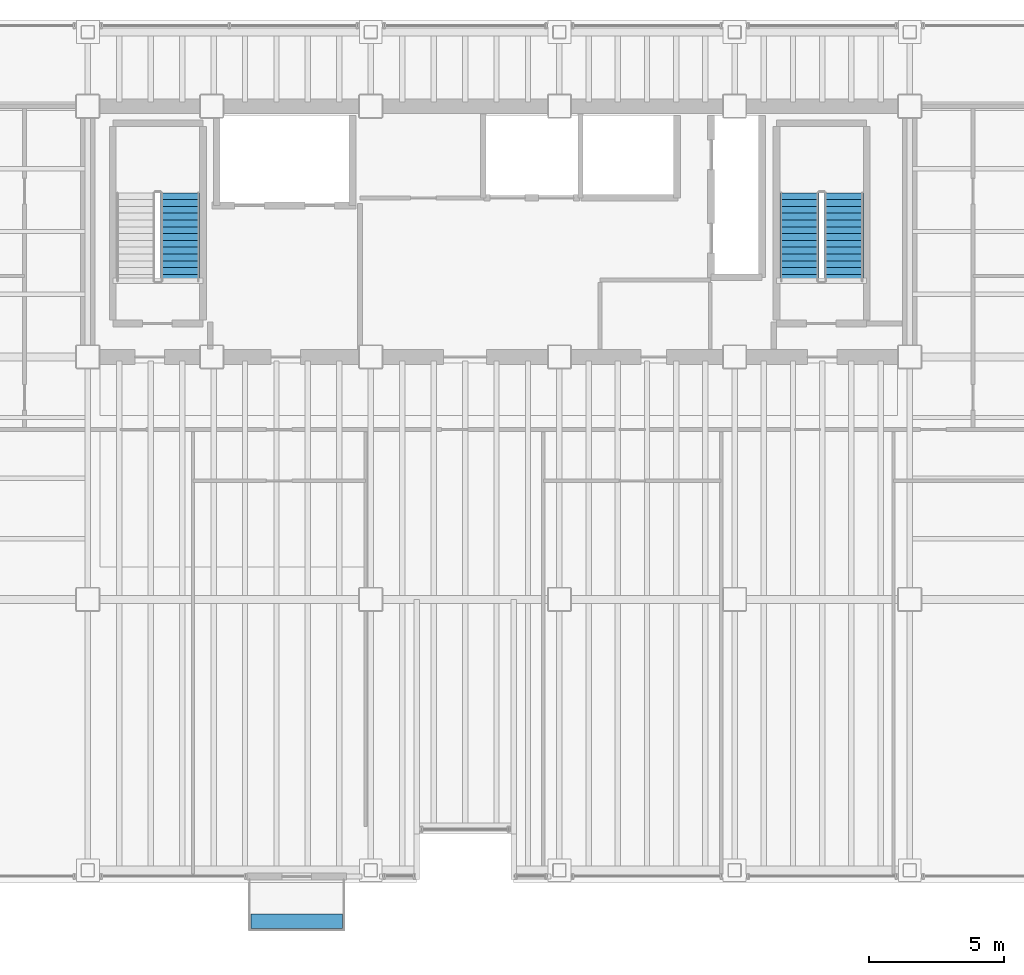
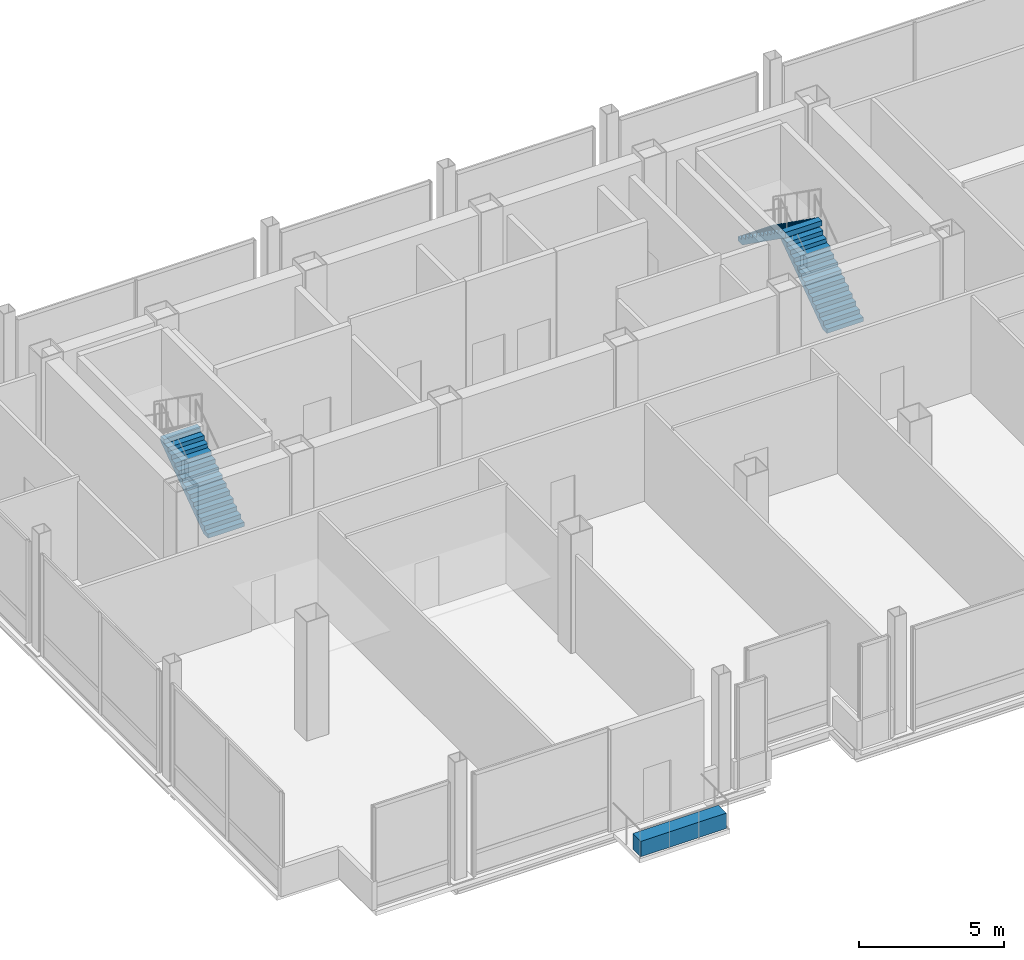
# One storey, part 20 of 22: 3 stair flights, 1 discrete accessory, 2 elements without a shape of their own.
"""IFC4 building model written with IfcOpenShell, lengths in metres."""

from ifc_helpers import new_model, si_unit, direction, frame, origin, origin_2d, place, context, subcontext, project, spatial, polyline, rectangle, outline, extrude, material, layer, layer_set, type_object, element, aggregate, save


model = new_model("IFC4")

# Units and contexts
model_context = context("Model", 3, precision=1e-05, world=origin(), true_north=direction((0.0, 1.0)))
body_context = subcontext(model_context, "Body", "Model", "MODEL_VIEW")
ifc_project = project(units=[si_unit("LENGTHUNIT", "METRE"), si_unit("AREAUNIT", "SQUARE_METRE"), si_unit("VOLUMEUNIT", "CUBIC_METRE"), si_unit("PLANEANGLEUNIT", "RADIAN"), si_unit("MASSUNIT", "GRAM", prefix="KILO")], contexts=[model_context])

# Site, building, storey
site_placement = place(None, origin())
site = spatial("IfcSite", under=ifc_project, at=site_placement, CompositionType="ELEMENT")
building_placement = place(site_placement, origin())
building = spatial("IfcBuilding", under=site, at=building_placement, Name="Noeulbin Bourse Tower", CompositionType="ELEMENT")
storey_placement = place(building_placement, frame((0.0, 0.0, 106.0)))
storey = spatial("IfcBuildingStorey", under=building, at=storey_placement, Name="L26", CompositionType="ELEMENT", Elevation=106.0)

# Stair, stair flight
ifc_material_1 = material(Name="Concrete C40/50", Category="concrete")
stair_type = type_object("IfcStairType", Name="STR-CORE-1560", PredefinedType="HALF_TURN_STAIR", material=ifc_material_1)
stair_1_placement = place(storey_placement, origin())
stair_1 = element("IfcStair", 1, at=stair_1_placement, inside=storey, type_object=stair_type, Name="L26 ST-1", PredefinedType="HALF_TURN_STAIR")
stair_flight_type = type_object("IfcStairFlightType", Name="SFL-CORE-1560", PredefinedType="STRAIGHT", material=ifc_material_1)
stair_flight_1_placement = place(storey_placement, frame((16.925048828125, 31.81005859375, 0.0), z_axis=(0.0, 0.0, 1.0), x_axis=(0.0, 1.0, 0.0)))
stair_flight_1 = element("IfcStairFlight", 2, at=stair_flight_1_placement, type_object=stair_flight_type, Name="ST-1 flight 1", NumberOfRisers=14, NumberOfTreads=13, PredefinedType="STRAIGHT", RiserHeight=0.178571429, TreadLength=0.252, context=body_context, shape_type="SweptSolid", body=[
    extrude(outline(polyline([(0.0, 0.0), (0.0, 0.178466796875), (0.251953125, 0.178466796875), (0.251953125, 0.357177734375), (0.50390625, 0.357177734375), (0.50390625, 0.53564453125), (0.756103515625, 0.53564453125), (0.756103515625, 0.71435546875), (1.008056640625, 0.71435546875), (1.008056640625, 0.892822265625), (1.260009765625, 0.892822265625), (1.260009765625, 1.071533203125), (1.511962890625, 1.071533203125), (1.511962890625, 1.25), (1.763916015625, 1.25), (1.763916015625, 1.428466796875), (2.01611328125, 1.428466796875), (2.01611328125, 1.607177734375), (2.26806640625, 1.607177734375), (2.26806640625, 1.78564453125), (2.52001953125, 1.78564453125), (2.52001953125, 1.96435546875), (2.77197265625, 1.96435546875), (2.77197265625, 2.142822265625), (3.02392578125, 2.142822265625), (3.02392578125, 2.321533203125), (3.27587890625, 2.321533203125), (3.27587890625, 2.5), (3.27587890625, 2.100830078125), (0.311279296875, 0.0), (0.0, 0.0)])), frame((0.0, 0.72509765625, 0.0), z_axis=(0.0, -1.0, 0.0), x_axis=(1.0, 0.0, 0.0)), (0.0, 0.0, 1.0), 1.449951171875),
])
aggregate(stair_1, [stair_flight_1])

# Stair, stair flights
stair_2_placement = place(storey_placement, origin())
stair_2 = element("IfcStair", 3, at=stair_2_placement, inside=storey, type_object=stair_type, Name="L26 ST-2", PredefinedType="HALF_TURN_STAIR")
stair_flight_2_placement = place(storey_placement, frame((41.554931640625, 31.81005859375, 0.0), z_axis=(0.0, 0.0, 1.0), x_axis=(0.0, 1.0, 0.0)))
stair_flight_2 = element("IfcStairFlight", 4, at=stair_flight_2_placement, type_object=stair_flight_type, Name="ST-2 flight 1", NumberOfRisers=14, NumberOfTreads=13, PredefinedType="STRAIGHT", RiserHeight=0.178571429, TreadLength=0.252, context=body_context, shape_type="SweptSolid", body=[
    extrude(outline(polyline([(0.0, 0.0), (0.0, 0.178466796875), (0.251953125, 0.178466796875), (0.251953125, 0.357177734375), (0.50390625, 0.357177734375), (0.50390625, 0.53564453125), (0.756103515625, 0.53564453125), (0.756103515625, 0.71435546875), (1.008056640625, 0.71435546875), (1.008056640625, 0.892822265625), (1.260009765625, 0.892822265625), (1.260009765625, 1.071533203125), (1.511962890625, 1.071533203125), (1.511962890625, 1.25), (1.763916015625, 1.25), (1.763916015625, 1.428466796875), (2.01611328125, 1.428466796875), (2.01611328125, 1.607177734375), (2.26806640625, 1.607177734375), (2.26806640625, 1.78564453125), (2.52001953125, 1.78564453125), (2.52001953125, 1.96435546875), (2.77197265625, 1.96435546875), (2.77197265625, 2.142822265625), (3.02392578125, 2.142822265625), (3.02392578125, 2.321533203125), (3.27587890625, 2.321533203125), (3.27587890625, 2.5), (3.27587890625, 2.100830078125), (0.311279296875, 0.0), (0.0, 0.0)])), frame((0.0, 0.72509765625, 0.0), z_axis=(0.0, -1.0, 0.0), x_axis=(1.0, 0.0, 0.0)), (0.0, 0.0, 1.0), 1.449951171875),
])
stair_flight_3_placement = place(storey_placement, frame((39.905029296875, 35.0859375, 2.5), z_axis=(0.0, 0.0, 1.0), x_axis=(0.0, -1.0, 0.0)))
stair_flight_3 = element("IfcStairFlight", 5, at=stair_flight_3_placement, type_object=stair_flight_type, Name="ST-2 flight 2", NumberOfRisers=14, NumberOfTreads=13, PredefinedType="STRAIGHT", RiserHeight=0.178571429, TreadLength=0.252, context=body_context, shape_type="SweptSolid", body=[
    extrude(outline(polyline([(0.0, 0.0), (0.0, 0.178466796875), (0.251953125, 0.178466796875), (0.251953125, 0.357177734375), (0.50390625, 0.357177734375), (0.50390625, 0.53564453125), (0.756103515625, 0.53564453125), (0.756103515625, 0.71435546875), (1.008056640625, 0.71435546875), (1.008056640625, 0.892822265625), (1.260009765625, 0.892822265625), (1.260009765625, 1.071533203125), (1.511962890625, 1.071533203125), (1.511962890625, 1.25), (1.763916015625, 1.25), (1.763916015625, 1.428466796875), (2.01611328125, 1.428466796875), (2.01611328125, 1.607177734375), (2.26806640625, 1.607177734375), (2.26806640625, 1.78564453125), (2.52001953125, 1.78564453125), (2.52001953125, 1.96435546875), (2.77197265625, 1.96435546875), (2.77197265625, 2.142822265625), (3.02392578125, 2.142822265625), (3.02392578125, 2.321533203125), (3.27587890625, 2.321533203125), (3.27587890625, 2.5), (3.27587890625, 2.100830078125), (0.311279296875, 0.0), (0.0, 0.0)])), frame((0.0, 0.72509765625, 0.0), z_axis=(0.0, -1.0, 0.0), x_axis=(1.0, 0.0, 0.0)), (0.0, 0.0, 1.0), 1.449951171875),
])
aggregate(stair_2, [stair_flight_2, stair_flight_3])

# Discrete accessory
ifc_material_2 = material(Name="Architectural GFRC Concrete C40/50", Category="concrete")
ifc_layer = layer(ifc_material_2, 0.64990234375)
ifc_layer_set = layer_set([ifc_layer], Name="Architectural GFRC Concrete C40/50")
discrete_accessory_type = type_object("IfcDiscreteAccessoryType", Name="PLANTER-BOX-3600", PredefinedType="USERDEFINED", material=ifc_layer_set)
discrete_accessory_placement = place(storey_placement, frame((21.25, 8.06005859375, 0.0), z_axis=(0.0, 0.0, 1.0), x_axis=(1.0, 0.0, 0.0)))
element("IfcDiscreteAccessory", 6, at=discrete_accessory_placement, inside=storey, type_object=discrete_accessory_type, Name="Integrated Balcony Tree Planter Box L26", ObjectType="PLANTER", PredefinedType="USERDEFINED", context=body_context, shape_type="SweptSolid", body=[
    extrude(rectangle(XDim=3.39990234375, YDim=0.550048828125, at=origin_2d()), origin(), (0.0, 0.0, 1.0), 0.64990234375),
])

save(model, "model.ifc")
